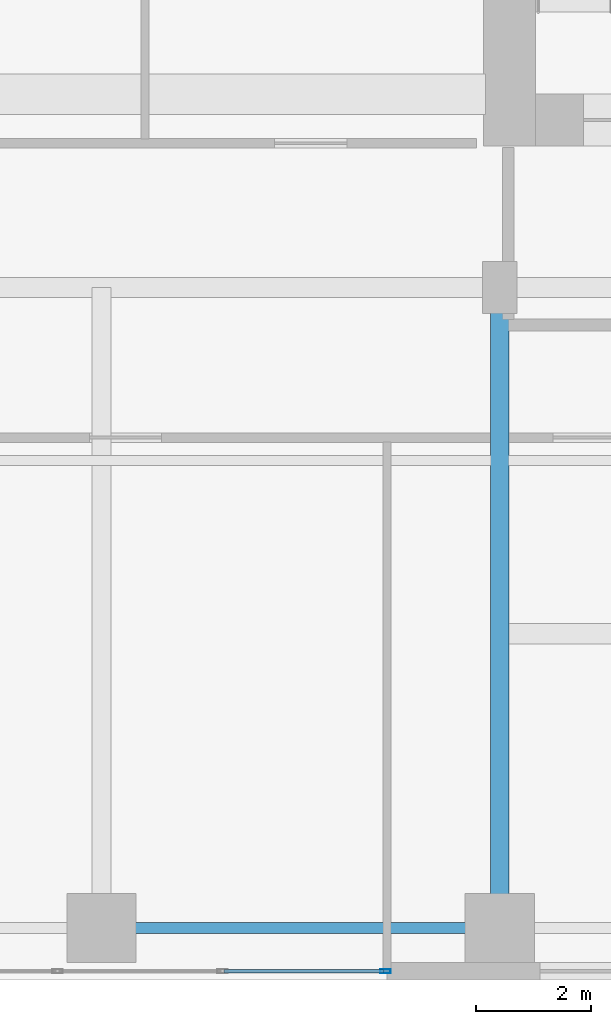
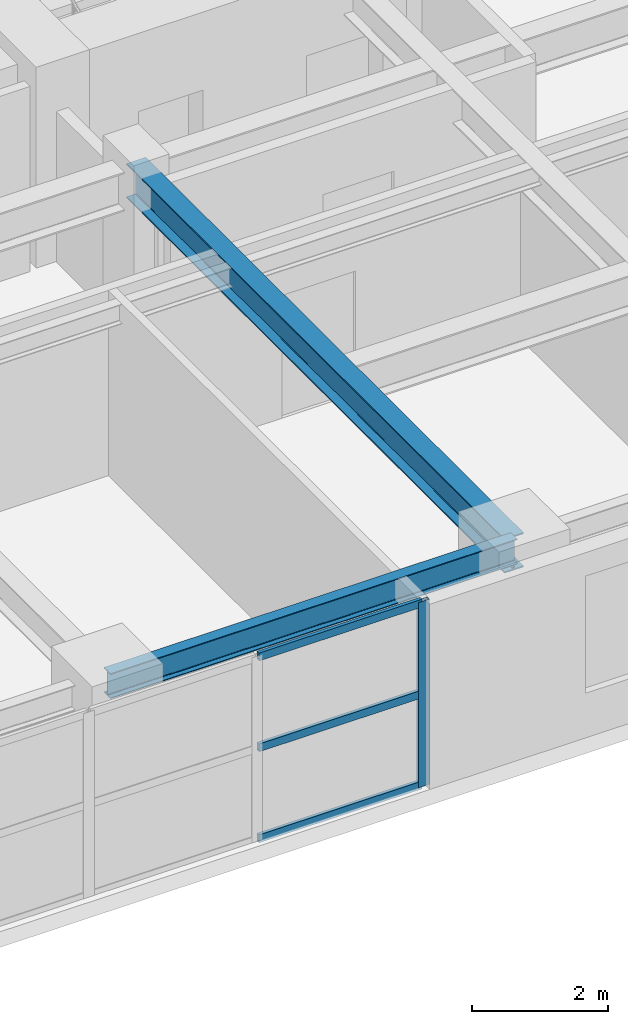
# One storey, part 3 of 24: 4 members, 2 beams, 1 element without a shape of its own.
"""IFC4 building model written with IfcOpenShell, lengths in metres."""

import ifcopenshell
import ifcopenshell.guid

model = None  # the IFC model being written
_history = None  # IfcOwnerHistory: only IFC2X3 demands one
_inside = {}  # id of a spatial element -> (the spatial element, [elements in it])
_under = {}  # id of a project, library or spatial element -> (it, [spatial elements below it])
_declared = {}  # id of a project -> (the project, [libraries it declares])
_typed = {}  # id of a type object -> (the type object, [elements of that type])
_made_of = {}  # id of a material, layer set ... -> (it, [elements and type objects made of it])


def new_model(schema):
    """Start an empty IFC model of exactly this schema.

    Asked for "IFC4X3", IfcOpenShell would pick the latest addendum, in which some entities
    have other attributes; the version numbers below select the first issue.
    IFC2X3 requires an IfcOwnerHistory on every rooted entity: one is made here for all.
    """
    global model, _history
    if schema == "IFC4X3":
        model = ifcopenshell.file(schema_version=(4, 3, 0, 0))
    else:
        model = ifcopenshell.file(schema=schema)
    _inside.clear()
    _under.clear()
    _declared.clear()
    _typed.clear()
    _made_of.clear()
    _history = None
    if model.schema == "IFC2X3":
        org = make("IfcOrganization", Name="unknown")
        user = make(
            "IfcPersonAndOrganization",
            ThePerson=make("IfcPerson", FamilyName="unknown"),
            TheOrganization=org,
        )
        app = make(
            "IfcApplication",
            ApplicationDeveloper=org,
            Version="unknown",
            ApplicationFullName="unknown",
            ApplicationIdentifier="unknown",
        )
        _history = make(
            "IfcOwnerHistory",
            OwningUser=user,
            OwningApplication=app,
            ChangeAction="ADDED",
            CreationDate=0,
        )
    return model


def make(cls, **values):
    """One entity of the class cls with the attributes given. An attribute that is None is left unset."""
    return model.create_entity(
        cls, **{name: value for name, value in values.items() if value is not None}
    )


def rooted(cls, **values):
    """An entity with a GlobalId (a new one), such as an element, a storey or a relation."""
    return make(cls, GlobalId=ifcopenshell.guid.new(), OwnerHistory=_history, **values)


def si_unit(unit_type, name, prefix=None):
    """IfcSIUnit, for example si_unit("LENGTHUNIT", "METRE", prefix="MILLI")."""
    return make("IfcSIUnit", UnitType=unit_type, Prefix=prefix, Name=name)


def assignment(units):
    """IfcUnitAssignment: the units of a project."""
    return None if units is None else make("IfcUnitAssignment", Units=units)


def point(xyz):
    """IfcCartesianPoint."""
    return None if xyz is None else make("IfcCartesianPoint", Coordinates=xyz)


def direction(xyz):
    """IfcDirection."""
    return None if xyz is None else make("IfcDirection", DirectionRatios=xyz)


def frame(location, z_axis=None, x_axis=None):
    """IfcAxis2Placement3D, a coordinate frame: its origin and axes. An axis left out is left unset."""
    return make(
        "IfcAxis2Placement3D",
        Location=point(location),
        Axis=direction(z_axis),
        RefDirection=direction(x_axis),
    )


def frame_2d(location, x_axis=None):
    """IfcAxis2Placement2D, a coordinate frame in the plane: its origin and x axis."""
    return make(
        "IfcAxis2Placement2D", Location=point(location), RefDirection=direction(x_axis)
    )


def origin():
    """The frame at (0, 0, 0) with its axes left unset."""
    return frame((0.0, 0.0, 0.0))


def origin_2d():
    """The frame at (0, 0) in the plane with its x axis left unset."""
    return frame_2d((0.0, 0.0))


def place(relative_to, where):
    """IfcLocalPlacement: puts the frame where relative to a parent placement (None: the world)."""
    return make(
        "IfcLocalPlacement", PlacementRelTo=relative_to, RelativePlacement=where
    )


def context(
    kind, dimensions, precision=None, world=None, true_north=None, identifier=None
):
    """IfcGeometricRepresentationContext, for example the 3D "Model" context."""
    return make(
        "IfcGeometricRepresentationContext",
        ContextIdentifier=identifier,
        ContextType=kind,
        CoordinateSpaceDimension=dimensions,
        Precision=precision,
        WorldCoordinateSystem=world,
        TrueNorth=true_north,
    )


def subcontext(parent, identifier, kind, view, scale=None):
    """IfcGeometricRepresentationSubContext, for example "Body" below "Model"."""
    return make(
        "IfcGeometricRepresentationSubContext",
        ContextIdentifier=identifier,
        ContextType=kind,
        ParentContext=parent,
        TargetScale=scale,
        TargetView=view,
    )


def project(units=None, contexts=None):
    """IfcProject with its units and contexts."""
    return rooted(
        "IfcProject",
        Name="project",
        RepresentationContexts=contexts,
        UnitsInContext=assignment(units),
    )


def spatial(cls, under=None, at=None, **own):
    """A site, building, storey or space (cls), placed at a placement, below another one or the project."""
    s = rooted(cls, ObjectPlacement=at, **own)
    if under is not None:
        _under.setdefault(under.id(), (under, []))[1].append(s)
    return s


def profile(cls, at=None, kind="AREA", **sizes):
    """A parametric profile (cls). Its sizes go by their IFC names, for example OverallWidth=200.0."""
    return make(cls, ProfileType=kind, Position=at, **sizes)


def hollow_rectangle(**sizes):
    """IfcRectangleHollowProfileDef."""
    return profile("IfcRectangleHollowProfileDef", **sizes)


def i_section(**sizes):
    """IfcIShapeProfileDef."""
    return profile("IfcIShapeProfileDef", **sizes)


def extrude(swept, where, along, depth):
    """IfcExtrudedAreaSolid: the profile swept, set in the frame where, extruded along a direction by depth."""
    return make(
        "IfcExtrudedAreaSolid",
        SweptArea=swept,
        Position=where,
        ExtrudedDirection=direction(along),
        Depth=depth,
    )


def shape(context_of_items, identifier, shape_type, items):
    """IfcShapeRepresentation: the items that make up one representation, for example the "Body"."""
    return make(
        "IfcShapeRepresentation",
        ContextOfItems=context_of_items,
        RepresentationIdentifier=identifier,
        RepresentationType=shape_type,
        Items=items,
    )


def source(mapping_origin, context_of_items, identifier, shape_type, items):
    """IfcRepresentationMap: a shape defined once, which mapped items show again and again."""
    return make(
        "IfcRepresentationMap",
        MappingOrigin=mapping_origin,
        MappedRepresentation=shape(context_of_items, identifier, shape_type, items),
    )


def transform(
    local_origin,
    x_axis=None,
    y_axis=None,
    z_axis=None,
    scale=None,
    scale2=None,
    scale3=None,
    uniform=True,
):
    """IfcCartesianTransformationOperator3D, or its non-uniform kind. x_axis, y_axis, z_axis: its Axis1, 2, 3."""
    if uniform:
        return make(
            "IfcCartesianTransformationOperator3D",
            Axis1=direction(x_axis),
            Axis2=direction(y_axis),
            LocalOrigin=point(local_origin),
            Scale=scale,
            Axis3=direction(z_axis),
        )
    return make(
        "IfcCartesianTransformationOperator3DnonUniform",
        Axis1=direction(x_axis),
        Axis2=direction(y_axis),
        LocalOrigin=point(local_origin),
        Scale=scale,
        Axis3=direction(z_axis),
        Scale2=scale2,
        Scale3=scale3,
    )


def mapped(mapping_source, mapping_target):
    """IfcMappedItem: shows the shape of a source again, moved by a transform."""
    return make(
        "IfcMappedItem", MappingSource=mapping_source, MappingTarget=mapping_target
    )


def material(Name=None, Category=None):
    """IfcMaterial."""
    return make("IfcMaterial", Name=Name, Category=Category)


def layer(
    of_material, thickness, ventilated=None, Name=None, Category=None, Priority=None
):
    """IfcMaterialLayer: one layer of a wall or slab, of a material (None: an air gap)."""
    return make(
        "IfcMaterialLayer",
        Material=of_material,
        LayerThickness=thickness,
        IsVentilated=ventilated,
        Name=Name,
        Category=Category,
        Priority=Priority,
    )


def layer_set(layers, Name=None):
    """IfcMaterialLayerSet."""
    return make("IfcMaterialLayerSet", MaterialLayers=layers, LayerSetName=Name)


def material_profile(
    of_material, cross_section, Name=None, Category=None, Priority=None
):
    """IfcMaterialProfile: a cross section and its material."""
    return make(
        "IfcMaterialProfile",
        Name=Name,
        Material=of_material,
        Profile=cross_section,
        Priority=Priority,
        Category=Category,
    )


def profile_set(profiles, Name=None, composite=None):
    """IfcMaterialProfileSet."""
    return make(
        "IfcMaterialProfileSet",
        Name=Name,
        MaterialProfiles=profiles,
        CompositeProfile=composite,
    )


def made_of(thing, what):
    """Note that an element or type object is made of a material, layer set ...; save() writes the relation."""
    if what is not None:
        _made_of.setdefault(what.id(), (what, []))[1].append(thing)
    return thing


def type_object(cls, material=None, **own):
    """A type object (cls), such as IfcWallType, which elements share."""
    return made_of(rooted(cls, **own), material)


def element(
    cls,
    number,
    at=None,
    inside=None,
    cuts=None,
    type_object=None,
    material=None,
    context=None,
    identifier="Body",
    shape_type=None,
    held_by="IfcProductDefinitionShape",
    body=None,
    shapes=None,
    **own,
):
    """One element of the class cls, such as IfcWall. Its Tag is "e" and its number.

    at: its placement. inside: the storey or other place that contains it. cuts: it is an
    opening in that element (IfcRelVoidsElement). A single representation is given by context,
    identifier, shape_type and body (its items); several are given by shapes. held_by: the class
    of the entity that holds the representations. save() writes the other relations.
    """
    e = rooted(cls, Tag="e%d" % number, ObjectPlacement=at, **own)
    if body is not None:
        shapes = [shape(context, identifier, shape_type, body)]
    if shapes is not None:
        e.Representation = make(held_by, Representations=shapes)
    if inside is not None:
        _inside.setdefault(inside.id(), (inside, []))[1].append(e)
    if cuts is not None:
        rooted(
            "IfcRelVoidsElement", RelatingBuildingElement=cuts, RelatedOpeningElement=e
        )
    if type_object is not None:
        _typed.setdefault(type_object.id(), (type_object, []))[1].append(e)
    return made_of(e, material)


def aggregate(whole, parts):
    """IfcRelAggregates: a whole, such as a stair, and the parts it consists of."""
    return rooted("IfcRelAggregates", RelatingObject=whole, RelatedObjects=parts)


def save(model, path):
    """Write the relations noted so far, then the file.

    IfcRelAggregates (storeys below a building ...), IfcRelContainedInSpatialStructure (elements
    in a storey), IfcRelDefinesByType, IfcRelAssociatesMaterial and IfcRelDeclares: one each for
    every whole, place, type object, material and project.
    """
    for whole, parts in _under.values():
        aggregate(whole, parts)
    for where, things in _inside.values():
        rooted(
            "IfcRelContainedInSpatialStructure",
            RelatedElements=things,
            RelatingStructure=where,
        )
    for kind, things in _typed.values():
        rooted("IfcRelDefinesByType", RelatedObjects=things, RelatingType=kind)
    for what, things in _made_of.values():
        rooted("IfcRelAssociatesMaterial", RelatedObjects=things, RelatingMaterial=what)
    for by, libraries in _declared.values():
        rooted("IfcRelDeclares", RelatingContext=by, RelatedDefinitions=libraries)
    model.write(path)


model = new_model("IFC4")

# Units and contexts
model_context = context("Model", 3, precision=1e-05, world=origin(), true_north=direction((0.0, 1.0)))
body_context = subcontext(model_context, "Body", "Model", "MODEL_VIEW")
ifc_project = project(units=[si_unit("LENGTHUNIT", "METRE"), si_unit("AREAUNIT", "SQUARE_METRE"), si_unit("VOLUMEUNIT", "CUBIC_METRE"), si_unit("PLANEANGLEUNIT", "RADIAN"), si_unit("MASSUNIT", "GRAM", prefix="KILO")], contexts=[model_context])

# Site, building, storey
site_placement = place(None, origin())
site = spatial("IfcSite", under=ifc_project, at=site_placement, CompositionType="ELEMENT")
building_placement = place(site_placement, origin())
building = spatial("IfcBuilding", under=site, at=building_placement, Name="Khoralis Quay Care Tower", CompositionType="ELEMENT")
storey_placement = place(building_placement, frame((0.0, 0.0, 62.10009765625)))
storey = spatial("IfcBuildingStorey", under=building, at=storey_placement, Name="L16", CompositionType="ELEMENT", Elevation=62.10009765625)

# Beams
ifc_material_1 = material(Name="Steel S355", Category="steel")
ifc_material_profile_1 = material_profile(ifc_material_1, i_section(OverallWidth=0.18994140625, OverallDepth=0.449951171875, WebThickness=0.009521484375, FlangeThickness=0.0146484375, FilletRadius=0.02099609375, at=origin_2d()), Name="Steel S355")
ifc_profile_set_1 = profile_set([ifc_material_profile_1], Name="Steel S355")
beam_type_1 = type_object("IfcBeamType", Name="BM-IPE450", PredefinedType="SPANDREL", material=ifc_profile_set_1)
shared_shape_1 = source(origin(), body_context, "Body", "SweptSolid", [
    extrude(i_section(OverallWidth=0.18994140625, OverallDepth=0.449951171875, WebThickness=0.009521484375, FlangeThickness=0.0146484375, FilletRadius=0.02099609375, at=origin_2d()), origin(), (0.0, 0.0, 1.0), 6.89990234375),
])
beam_1_placement = place(storey_placement, frame((24.0, 0.89990234375, 3.094970703125), z_axis=(1.0, 0.0, 0.0), x_axis=(0.0, 1.0, 0.0)))
element("IfcBeam", 1, at=beam_1_placement, inside=storey, type_object=beam_type_1, Name="BM-TSP-L16-04", PredefinedType="SPANDREL", context=body_context, shape_type="MappedRepresentation", body=[
    mapped(shared_shape_1, transform((0.0, 0.0, 0.0), scale=1.0)),
])
ifc_material_profile_2 = material_profile(ifc_material_1, i_section(OverallWidth=0.324951171875, OverallDepth=0.615966796875, WebThickness=0.013916015625, FlangeThickness=0.021484375, FilletRadius=0.01806640625, at=origin_2d()), Name="Steel S355")
ifc_profile_set_2 = profile_set([ifc_material_profile_2], Name="Steel S355")
beam_type_2 = type_object("IfcBeamType", Name="BM-W610X174", PredefinedType="BEAM", material=ifc_profile_set_2)
shared_shape_2 = source(origin(), body_context, "Body", "SweptSolid", [
    extrude(i_section(OverallWidth=0.324951171875, OverallDepth=0.615966796875, WebThickness=0.013916015625, FlangeThickness=0.021484375, FilletRadius=0.01806640625, at=origin_2d()), origin(), (0.0, 0.0, 1.0), 11.10009765625),
])
beam_2_placement = place(storey_placement, frame((30.89990234375, 0.89990234375, 3.011962890625), z_axis=(0.0, 1.0, 0.0), x_axis=(-1.0, 0.0, 0.0)))
element("IfcBeam", 2, at=beam_2_placement, inside=storey, type_object=beam_type_2, Name="BM-TGYS-L16-309", PredefinedType="BEAM", context=body_context, shape_type="MappedRepresentation", body=[
    mapped(shared_shape_2, transform((0.0, 0.0, 0.0), scale=1.0)),
])

# Curtain wall, members
ifc_material_2 = material(Name="Pale anodised aluminium", Category="aluminium")
ifc_layer = layer(ifc_material_2, 0.179931640625)
ifc_layer_set = layer_set([ifc_layer], Name="Pale anodised aluminium")
curtain_wall_type = type_object("IfcCurtainWallType", Name="CW-SYS-Z1", PredefinedType="NOTDEFINED", material=ifc_layer_set)
curtain_wall_placement = place(storey_placement, origin())
curtain_wall = element("IfcCurtainWall", 3, at=curtain_wall_placement, inside=storey, type_object=curtain_wall_type, Name="L16 Unitised Curtain Wall CW-L16-P1-E0", PredefinedType="NOTDEFINED")
ifc_material_profile_3 = material_profile(ifc_material_2, hollow_rectangle(XDim=0.06494140625, YDim=0.179931640625, WallThickness=0.00390625, at=origin_2d()), Name="Pale anodised aluminium")
ifc_profile_set_3 = profile_set([ifc_material_profile_3], Name="Pale anodised aluminium")
member_type_1 = type_object("IfcMemberType", Name="CW-MUL-180", PredefinedType="MULLION", material=ifc_profile_set_3)
shared_shape_3 = source(origin(), body_context, "Body", "SweptSolid", [
    extrude(hollow_rectangle(XDim=0.06494140625, YDim=0.179931640625, WallThickness=0.00390625, at=origin_2d()), origin(), (0.0, 0.0, 1.0), 3.31982421875),
])
member_1_placement = place(storey_placement, frame((28.919921875, 0.14990234375, 0.0), z_axis=(0.0, 0.0, 1.0), x_axis=(0.0, 1.0, 0.0)))
member_1 = element("IfcMember", 4, at=member_1_placement, type_object=member_type_1, Name="CW1 mullion 5", PredefinedType="MULLION", context=body_context, shape_type="MappedRepresentation", body=[
    mapped(shared_shape_3, transform((0.0, 0.0, 0.0), scale=1.0)),
])
ifc_material_profile_4 = material_profile(ifc_material_2, hollow_rectangle(XDim=0.06005859375, YDim=0.139892578125, WallThickness=0.00390625, at=origin_2d()), Name="Pale anodised aluminium")
ifc_profile_set_4 = profile_set([ifc_material_profile_4], Name="Pale anodised aluminium")
member_type_2 = type_object("IfcMemberType", Name="CW-TRN-140", PredefinedType="USERDEFINED", material=ifc_profile_set_4)
shared_shape_4 = source(origin(), body_context, "Body", "SweptSolid", [
    extrude(hollow_rectangle(XDim=0.06005859375, YDim=0.139892578125, WallThickness=0.00390625, at=origin_2d()), origin(), (0.0, 0.0, 1.0), 2.764892578125),
])
member_2_placement = place(storey_placement, frame((26.125, 0.14990234375, 0.02978515625), z_axis=(1.0, 0.0, 0.0), x_axis=(0.0, 1.0, 0.0)))
member_2 = element("IfcMember", 5, at=member_2_placement, type_object=member_type_2, Name="CW1 transom 4.1", ObjectType="TRANSOM", PredefinedType="USERDEFINED", context=body_context, shape_type="MappedRepresentation", body=[
    mapped(shared_shape_4, transform((0.0, 0.0, 0.0), scale=1.0)),
])
member_3_placement = place(storey_placement, frame((26.125, 0.14990234375, 1.659912109375), z_axis=(1.0, 0.0, 0.0), x_axis=(0.0, 1.0, 0.0)))
member_3 = element("IfcMember", 6, at=member_3_placement, type_object=member_type_2, Name="CW1 transom 4.2", ObjectType="TRANSOM", PredefinedType="USERDEFINED", context=body_context, shape_type="MappedRepresentation", body=[
    mapped(shared_shape_4, transform((0.0, 0.0, 0.0), scale=1.0)),
])
member_4_placement = place(storey_placement, frame((26.125, 0.14990234375, 3.289794921875), z_axis=(1.0, 0.0, 0.0), x_axis=(0.0, 1.0, 0.0)))
member_4 = element("IfcMember", 7, at=member_4_placement, type_object=member_type_2, Name="CW1 transom 4.3", ObjectType="TRANSOM", PredefinedType="USERDEFINED", context=body_context, shape_type="MappedRepresentation", body=[
    mapped(shared_shape_4, transform((0.0, 0.0, 0.0), scale=1.0)),
])
aggregate(curtain_wall, [member_1, member_2, member_3, member_4])

save(model, "model.ifc")
